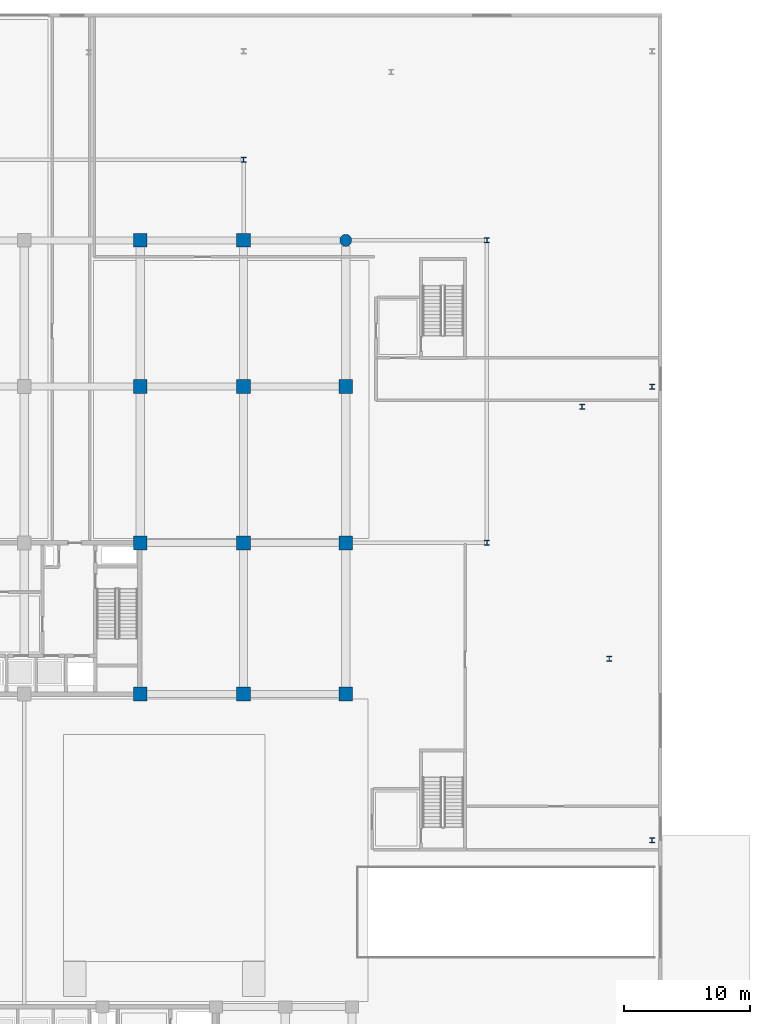
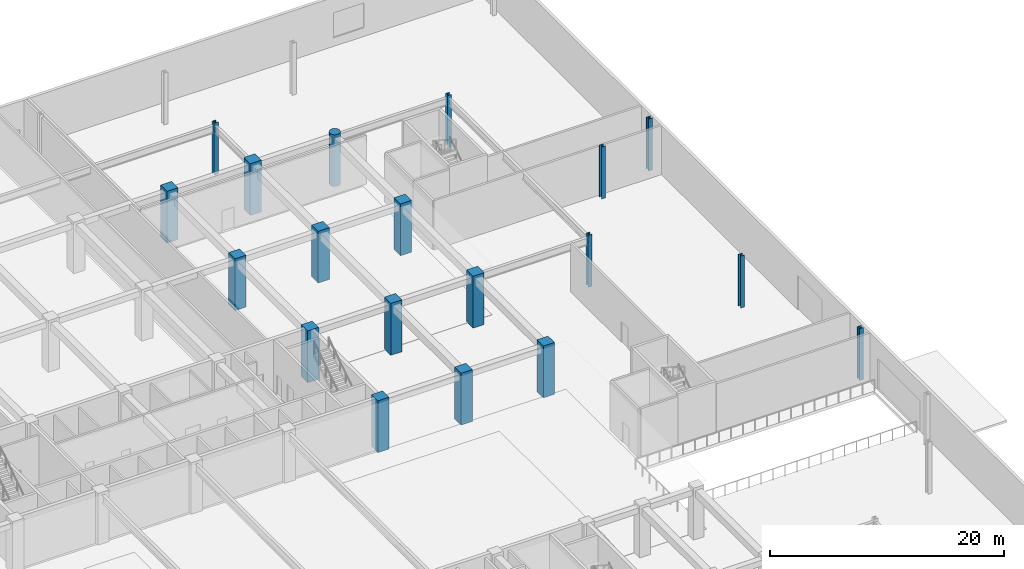
# One storey, part 8 of 46: 19 columns.
"""IFC4 building model written with IfcOpenShell, lengths in metres."""

from ifc_helpers import new_model, si_unit, direction, frame, origin, origin_2d, place, context, subcontext, project, spatial, rectangle, circle, i_section, extrude, material, material_profile, profile_set, type_object, element, save


model = new_model("IFC4")

# Units and contexts
model_context = context("Model", 3, precision=1e-05, world=origin(), true_north=direction((0.0, 1.0)))
body_context = subcontext(model_context, "Body", "Model", "MODEL_VIEW")
ifc_project = project(units=[si_unit("LENGTHUNIT", "METRE"), si_unit("AREAUNIT", "SQUARE_METRE"), si_unit("VOLUMEUNIT", "CUBIC_METRE"), si_unit("PLANEANGLEUNIT", "RADIAN"), si_unit("MASSUNIT", "GRAM", prefix="KILO")], contexts=[model_context])

# Site, building, storey
site_placement = place(None, origin())
site = spatial("IfcSite", under=ifc_project, at=site_placement, CompositionType="ELEMENT")
building_placement = place(site_placement, origin())
building = spatial("IfcBuilding", under=site, at=building_placement, Name="Korimba Cascade Residences", CompositionType="ELEMENT")
storey_placement = place(building_placement, origin())
storey = spatial("IfcBuildingStorey", under=building, at=storey_placement, Name="L00", CompositionType="ELEMENT", Elevation=0.0)

# Columns
ifc_material_1 = material(Name="Concrete C80/95", Category="concrete")
ifc_material_profile_1 = material_profile(ifc_material_1, rectangle(XDim=1.10009765625, YDim=1.10009765625, at=origin_2d()), Name="Concrete C80/95")
ifc_profile_set_1 = profile_set([ifc_material_profile_1], Name="Concrete C80/95")
column_type_1 = type_object("IfcColumnType", Name="COL-RC-1100", PredefinedType="COLUMN", material=ifc_profile_set_1)
for number, where, z_axis, x_axis, name in (
    (1, (112.10009765625, 55.199951171875, 0.0), (0.0, 0.0, 1.0), (1.0, 0.0, 0.0), "L00 Tower 1 Column 7.1"),
    (2, (112.10009765625, 67.199951171875, 0.0), (0.0, 0.0, 1.0), (1.0, 0.0, 0.0), "L00 Tower 1 Column 7.2"),
    (3, (112.10009765625, 79.60009765625, 0.0), (0.0, 0.0, 1.0), (1.0, 0.0, 0.0), "L00 Tower 1 Column 7.3"),
    (4, (112.10009765625, 91.199951171875, 0.0), (0.0, 0.0, 1.0), (1.0, 0.0, 0.0), "L00 Tower 1 Column 7.4"),
    (5, (120.300048828125, 55.199951171875, 0.0), (0.0, 0.0, 1.0), (1.0, 0.0, 0.0), "L00 Tower 1 Column 8.1"),
    (6, (120.300048828125, 67.199951171875, 0.0), (0.0, 0.0, 1.0), (1.0, 0.0, 0.0), "L00 Tower 1 Column 8.2"),
    (7, (120.300048828125, 79.60009765625, 0.0), (0.0, 0.0, 1.0), (1.0, 0.0, 0.0), "L00 Tower 1 Column 8.3"),
    (8, (120.300048828125, 91.199951171875, 0.0), (0.0, 0.0, 1.0), (1.0, 0.0, 0.0), "L00 Tower 1 Column 8.4"),
    (9, (128.39990234375, 55.199951171875, 0.0), (0.0, 0.0, 1.0), (1.0, 0.0, 0.0), "L00 Tower 1 Column 9.1"),
    (10, (128.39990234375, 67.199951171875, 0.0), (0.0, 0.0, 1.0), (1.0, 0.0, 0.0), "L00 Tower 1 Column 9.2"),
    (11, (128.39990234375, 79.60009765625, 0.0), (0.0, 0.0, 1.0), (1.0, 0.0, 0.0), "L00 Tower 1 Column 9.3"),
):
    element("IfcColumn", number, at=place(storey_placement, frame(where, z_axis=z_axis, x_axis=x_axis)), inside=storey, type_object=column_type_1, Name=name, PredefinedType="COLUMN", context=body_context, shape_type="SweptSolid", body=[
        extrude(rectangle(XDim=1.10009765625, YDim=1.10009765625, at=origin_2d()), origin(), (0.0, 0.0, 1.0), 5.39990234375),
    ])
ifc_material_profile_2 = material_profile(ifc_material_1, circle(Radius=0.47509765625, at=origin_2d()), Name="Concrete C80/95")
ifc_profile_set_2 = profile_set([ifc_material_profile_2], Name="Concrete C80/95")
column_type_2 = type_object("IfcColumnType", Name="COL-RC-D950", PredefinedType="COLUMN", material=ifc_profile_set_2)
column_placement = place(storey_placement, frame((128.39990234375, 91.199951171875, 0.0), z_axis=(0.0, 0.0, 1.0), x_axis=(1.0, 0.0, 0.0)))
element("IfcColumn", 12, at=column_placement, inside=storey, type_object=column_type_2, Name="L00 Tower 1 Column 9.4", PredefinedType="COLUMN", context=body_context, shape_type="SweptSolid", body=[
    extrude(circle(Radius=0.47509765625, at=origin_2d()), origin(), (0.0, 0.0, 1.0), 5.39990234375),
])
ifc_material_2 = material(Name="Steel S355", Category="steel")
ifc_material_profile_3 = material_profile(ifc_material_2, i_section(OverallWidth=0.39892578125, OverallDepth=0.3935546875, WebThickness=0.022705078125, FlangeThickness=0.03662109375, FilletRadius=0.01513671875, at=origin_2d()), Name="Steel S355")
ifc_profile_set_3 = profile_set([ifc_material_profile_3], Name="Steel S355")
column_type_3 = type_object("IfcColumnType", Name="COL-STL-UC287", PredefinedType="COLUMN", material=ifc_profile_set_3)
for number, where, z_axis, x_axis, name in (
    (13, (139.60009765625, 67.199951171875, 0.0), (0.0, 0.0, 1.0), (1.0, 0.0, 0.0), "L00 Podium Column PCE3"),
    (14, (139.60009765625, 91.199951171875, 0.0), (0.0, 0.0, 1.0), (1.0, 0.0, 0.0), "L00 Podium Column PCE4"),
    (15, (120.300048828125, 97.60009765625, 0.0), (0.0, 0.0, 1.0), (1.0, 0.0, 0.0), "L00 Podium Column PCN3"),
    (16, (149.300048828125, 58.0, 0.0), (0.0, 0.0, 1.0), (1.0, 0.0, 0.0), "L00 Podium Column PTE2"),
    (17, (147.14990234375, 78.0, 0.0), (0.0, 0.0, 1.0), (1.0, 0.0, 0.0), "L00 Podium Column PTE4"),
    (18, (152.699951171875, 43.60009765625, 0.0), (0.0, 0.0, 1.0), (1.0, 0.0, 0.0), "L00 Podium Column PLE4"),
    (19, (152.699951171875, 79.60009765625, 0.0), (0.0, 0.0, 1.0), (1.0, 0.0, 0.0), "L00 Podium Column PLE5"),
):
    element("IfcColumn", number, at=place(storey_placement, frame(where, z_axis=z_axis, x_axis=x_axis)), inside=storey, type_object=column_type_3, Name=name, PredefinedType="COLUMN", context=body_context, shape_type="SweptSolid", body=[
        extrude(i_section(OverallWidth=0.39892578125, OverallDepth=0.3935546875, WebThickness=0.022705078125, FlangeThickness=0.03662109375, FilletRadius=0.01513671875, at=origin_2d()), origin(), (0.0, 0.0, 1.0), 5.39990234375),
    ])

save(model, "model.ifc")
